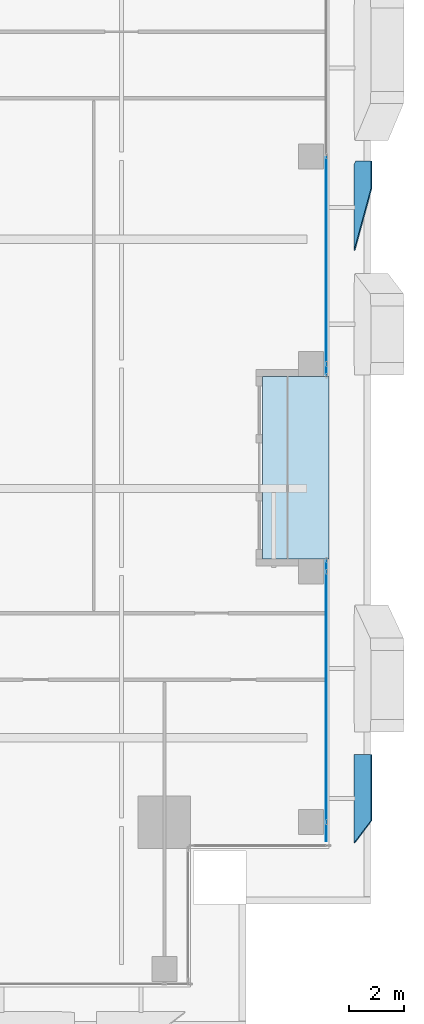
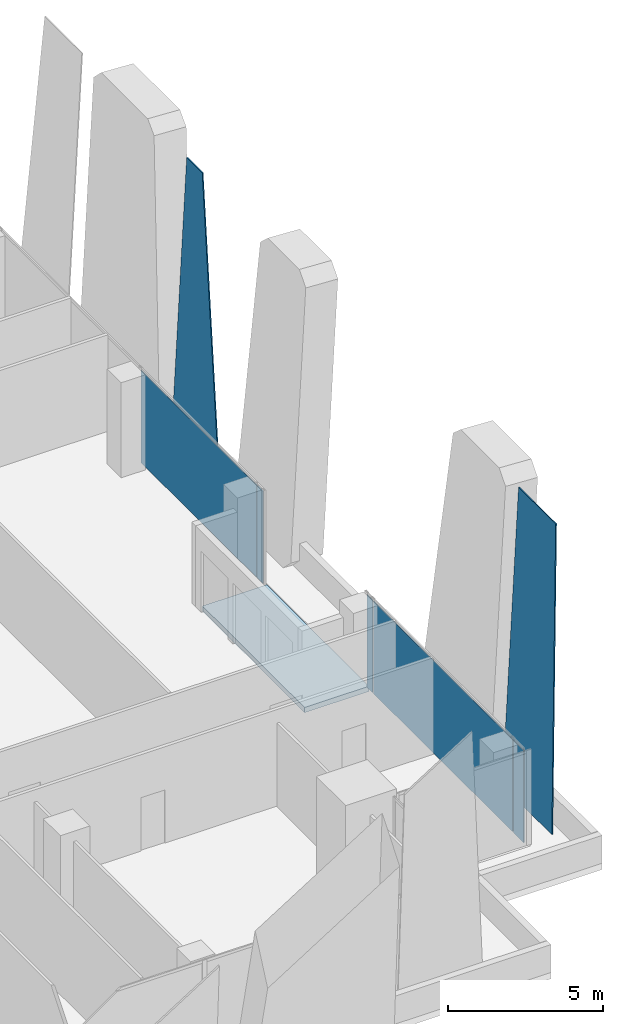
# One storey, part 23 of 33: 7 plates, 1 slab, 2 elements without a shape of their own.
"""IFC4 building model written with IfcOpenShell, lengths in metres."""

from ifc_helpers import new_model, si_unit, direction, frame, origin, origin_2d, place, context, subcontext, project, spatial, polyline, rectangle, outline, extrude, source, transform, mapped, material, layer, layer_set, type_object, element, aggregate, save


model = new_model("IFC4")

# Units and contexts
model_context = context("Model", 3, precision=1e-05, world=origin(), true_north=direction((0.0, 1.0)))
body_context = subcontext(model_context, "Body", "Model", "MODEL_VIEW")
ifc_project = project(units=[si_unit("LENGTHUNIT", "METRE"), si_unit("AREAUNIT", "SQUARE_METRE"), si_unit("VOLUMEUNIT", "CUBIC_METRE"), si_unit("PLANEANGLEUNIT", "RADIAN"), si_unit("MASSUNIT", "GRAM", prefix="KILO")], contexts=[model_context])

# Site, building, storey
site_placement = place(None, origin())
site = spatial("IfcSite", under=ifc_project, at=site_placement, CompositionType="ELEMENT")
building_placement = place(site_placement, origin())
building = spatial("IfcBuilding", under=site, at=building_placement, Name="Khomas Fold Tower", CompositionType="ELEMENT")
storey_placement = place(building_placement, frame((0.0, 0.0, 222.199951171875)))
storey = spatial("IfcBuildingStorey", under=building, at=storey_placement, Name="L49", CompositionType="ELEMENT", Elevation=222.199951171875)

# Plates
ifc_material_1 = material(Name="Clear laminated glass", Category="glass")
ifc_layer_1 = layer(ifc_material_1, 0.0400390625)
ifc_layer_set_1 = layer_set([ifc_layer_1], Name="Clear laminated glass")
plate_type_1 = type_object("IfcPlateType", Name="SK-Clear laminated glass leaf", PredefinedType="SHEET", material=ifc_layer_set_1)
plate_1_placement = place(storey_placement, frame((50.39990234375, 12.89990234375, 0.0), z_axis=(-0.99862882819, 0.0, 0.052349436554), x_axis=(0.0, -1.0, 0.0)))
element("IfcPlate", 1, at=plate_1_placement, inside=storey, type_object=plate_type_1, Name="OUTER SKIN glass L49 EG098-1", PredefinedType="SHEET", context=body_context, shape_type="SweptSolid", body=[
    extrude(outline(polyline([(0.0, 0.0), (3.199462890625, 0.0), (2.39990234375, 11.565907674683308), (0.0, 11.565907674683308), (0.0, 0.0)])), origin(), (0.0, 0.0, -1.0), 0.0400390625),
])
plate_2_placement = place(storey_placement, frame((51.00537109375, 33.32470703125, 11.550048828125), z_axis=(-0.998628828593, 6.76595e-07, 0.052349428866), x_axis=(6.75667e-07, 1.0, -3.5419e-08)))
element("IfcPlate", 2, at=plate_2_placement, inside=storey, type_object=plate_type_1, Name="OUTER SKIN glass L49 EG102-2", PredefinedType="SHEET", context=body_context, shape_type="SweptSolid", body=[
    extrude(outline(polyline([(0.0, 0.0), (1.00537109374977, 0.0), (1.005371093751647, 10.51197216418796), (0.8737792968747398, 11.56590767468331), (-2.2209472656245524, 11.56590767468331), (0.0, 0.0)])), origin(), (0.0, 0.0, -1.0), 0.0400390625),
])

# Curtain wall, plate
ifc_material_2 = material(Name="Aluminium framed double glazing", Category="aluminium")
curtain_wall_type = type_object("IfcCurtainWallType", Name="SK-Unitised clear-glass wall, office floors CW2", PredefinedType="NOTDEFINED", material=ifc_material_2)
curtain_wall_1_placement = place(storey_placement, origin())
curtain_wall_1 = element("IfcCurtainWall", 3, at=curtain_wall_1_placement, inside=storey, type_object=curtain_wall_type, Name="CW2 run L49 03-0", PredefinedType="NOTDEFINED")
ifc_material_3 = material(Name="Clear double glazed unit")
ifc_layer_2 = layer(ifc_material_3, 0.030029296875)
ifc_layer_set_2 = layer_set([ifc_layer_2], Name="Clear double glazed unit")
plate_type_2 = type_object("IfcPlateType", Name="SK-Unitised clear-glass wall, office floors glass panel CW2-P", PredefinedType="CURTAIN_PANEL", material=ifc_layer_set_2)
shared_shape_1 = source(origin(), body_context, "Body", "SweptSolid", [
    extrude(rectangle(XDim=0.659912109375, YDim=0.030029296875, at=origin_2d()), origin(), (0.0, 0.0, 1.0), 3.639892578125),
])
plate_3_placement = place(storey_placement, frame((49.39990234375, 10.090087890625, 0.0), z_axis=(0.0, 0.0, 1.0), x_axis=(0.0, 1.0, 0.0)))
plate_3 = element("IfcPlate", 4, at=plate_3_placement, type_object=plate_type_2, Name="CW2 glass panel 1", PredefinedType="CURTAIN_PANEL", context=body_context, shape_type="MappedRepresentation", body=[
    mapped(shared_shape_1, transform((0.0, 0.0, 0.0))),
])

curtain_wall_2_placement = place(storey_placement, origin())
curtain_wall_2 = element("IfcCurtainWall", 5, at=curtain_wall_2_placement, inside=storey, type_object=curtain_wall_type, Name="CW2 run L49 03-1", PredefinedType="NOTDEFINED")
shared_shape_2 = source(origin(), body_context, "Body", "SweptSolid", [
    extrude(rectangle(XDim=7.43994140625, YDim=0.030029296875, at=origin_2d()), origin(), (0.0, 0.0, 1.0), 3.639892578125),
])
plate_4_placement = place(storey_placement, frame((49.39990234375, 30.75, 0.0), z_axis=(0.0, 0.0, 1.0), x_axis=(0.0, 1.0, 0.0)))
plate_4 = element("IfcPlate", 6, at=plate_4_placement, type_object=plate_type_2, Name="CW2 glass panel 2", PredefinedType="CURTAIN_PANEL", context=body_context, shape_type="MappedRepresentation", body=[
    mapped(shared_shape_2, transform((0.0, 0.0, 0.0))),
])

# Plate
shared_shape_3 = source(origin(), body_context, "Body", "SweptSolid", [
    extrude(rectangle(XDim=8.989990234375, YDim=0.030029296875, at=origin_2d()), origin(), (0.0, 0.0, 1.0), 3.639892578125),
])
plate_5_placement = place(storey_placement, frame((49.39990234375, 14.97509765625, 0.0), z_axis=(0.0, 0.0, 1.0), x_axis=(0.0, 1.0, 0.0)))
plate_5 = element("IfcPlate", 7, at=plate_5_placement, type_object=plate_type_2, Name="CW2 glass panel 2", PredefinedType="CURTAIN_PANEL", context=body_context, shape_type="MappedRepresentation", body=[
    mapped(shared_shape_3, transform((0.0, 0.0, 0.0))),
])

shared_shape_4 = source(origin(), body_context, "Body", "SweptSolid", [
    extrude(rectangle(XDim=0.360107421875, YDim=0.030029296875, at=origin_2d()), origin(), (0.0, 0.0, 1.0), 3.639892578125),
])
plate_6_placement = place(storey_placement, frame((49.39990234375, 19.7099609375, 0.0), z_axis=(0.0, 0.0, 1.0), x_axis=(0.0, 1.0, 0.0)))
plate_6 = element("IfcPlate", 8, at=plate_6_placement, type_object=plate_type_2, Name="CW2 glass panel 3", PredefinedType="CURTAIN_PANEL", context=body_context, shape_type="MappedRepresentation", body=[
    mapped(shared_shape_4, transform((0.0, 0.0, 0.0))),
])

aggregate(curtain_wall_1, [plate_3, plate_5, plate_6])

plate_7_placement = place(storey_placement, frame((49.39990234375, 26.7900390625, 0.0), z_axis=(0.0, 0.0, 1.0), x_axis=(0.0, 1.0, 0.0)))
plate_7 = element("IfcPlate", 9, at=plate_7_placement, type_object=plate_type_2, Name="CW2 glass panel 1", PredefinedType="CURTAIN_PANEL", context=body_context, shape_type="MappedRepresentation", body=[
    mapped(shared_shape_4, transform((0.0, 0.0, 0.0))),
])

aggregate(curtain_wall_2, [plate_7, plate_4])

# Slab
ifc_material_4 = material(Name="Concrete C40/50", Category="concrete")
ifc_layer_3 = layer(ifc_material_4, 0.205078125)
ifc_layer_set_3 = layer_set([ifc_layer_3], Name="Concrete C40/50")
slab_type = type_object("IfcSlabType", Name="BL-Balcony deck 205", PredefinedType="FLOOR", material=ifc_layer_set_3)
shared_shape_5 = source(origin(), body_context, "Body", "SweptSolid", [
    extrude(outline(polyline([(47.10009765625, 19.949951171875), (49.5, 19.949951171875), (49.5, 26.550048828125), (47.10009765625, 26.550048828125), (47.10009765625, 19.949951171875)])), origin(), (0.0, 0.0, 1.0), 0.205078125),
])
slab_placement = place(storey_placement, frame((0.0, 0.0, -0.25)))
element("IfcSlab", 10, at=slab_placement, inside=storey, type_object=slab_type, Name="Balcony deck BAL-L49-E2", PredefinedType="FLOOR", context=body_context, shape_type="MappedRepresentation", body=[
    mapped(shared_shape_5, transform((0.0, 0.0, 0.0))),
])

save(model, "model.ifc")
